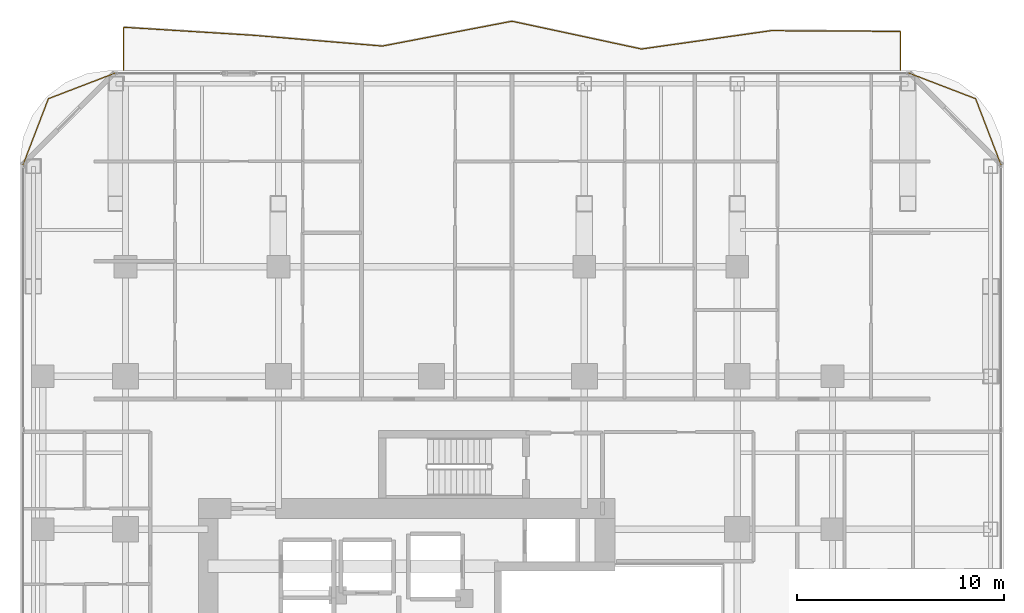
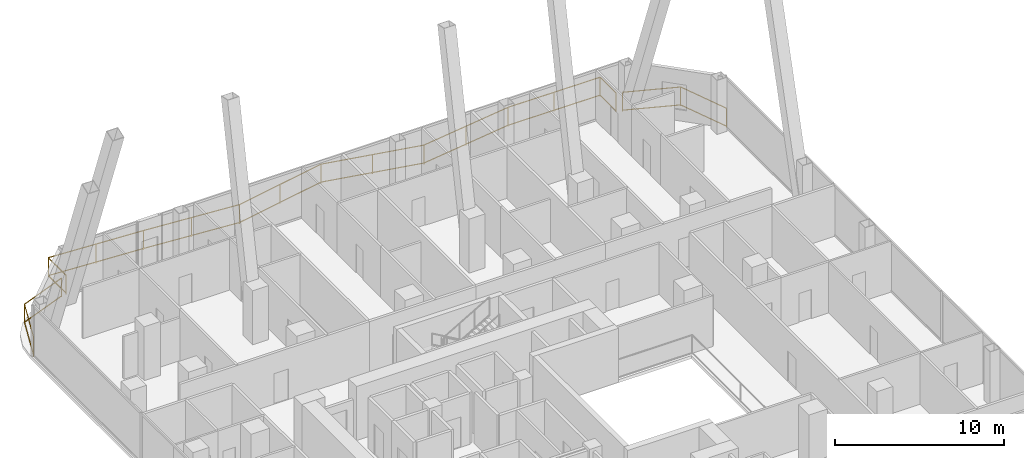
# One storey, part 28 of 28: 3 railings.
"""IFC4 building model written with IfcOpenShell, lengths in metres."""

import ifcopenshell
import ifcopenshell.guid

model = None  # the IFC model being written
_history = None  # IfcOwnerHistory: only IFC2X3 demands one
_inside = {}  # id of a spatial element -> (the spatial element, [elements in it])
_under = {}  # id of a project, library or spatial element -> (it, [spatial elements below it])
_declared = {}  # id of a project -> (the project, [libraries it declares])
_typed = {}  # id of a type object -> (the type object, [elements of that type])
_made_of = {}  # id of a material, layer set ... -> (it, [elements and type objects made of it])


def new_model(schema):
    """Start an empty IFC model of exactly this schema.

    Asked for "IFC4X3", IfcOpenShell would pick the latest addendum, in which some entities
    have other attributes; the version numbers below select the first issue.
    IFC2X3 requires an IfcOwnerHistory on every rooted entity: one is made here for all.
    """
    global model, _history
    if schema == "IFC4X3":
        model = ifcopenshell.file(schema_version=(4, 3, 0, 0))
    else:
        model = ifcopenshell.file(schema=schema)
    _inside.clear()
    _under.clear()
    _declared.clear()
    _typed.clear()
    _made_of.clear()
    _history = None
    if model.schema == "IFC2X3":
        org = make("IfcOrganization", Name="unknown")
        user = make(
            "IfcPersonAndOrganization",
            ThePerson=make("IfcPerson", FamilyName="unknown"),
            TheOrganization=org,
        )
        app = make(
            "IfcApplication",
            ApplicationDeveloper=org,
            Version="unknown",
            ApplicationFullName="unknown",
            ApplicationIdentifier="unknown",
        )
        _history = make(
            "IfcOwnerHistory",
            OwningUser=user,
            OwningApplication=app,
            ChangeAction="ADDED",
            CreationDate=0,
        )
    return model


def make(cls, **values):
    """One entity of the class cls with the attributes given. An attribute that is None is left unset."""
    return model.create_entity(
        cls, **{name: value for name, value in values.items() if value is not None}
    )


def rooted(cls, **values):
    """An entity with a GlobalId (a new one), such as an element, a storey or a relation."""
    return make(cls, GlobalId=ifcopenshell.guid.new(), OwnerHistory=_history, **values)


def si_unit(unit_type, name, prefix=None):
    """IfcSIUnit, for example si_unit("LENGTHUNIT", "METRE", prefix="MILLI")."""
    return make("IfcSIUnit", UnitType=unit_type, Prefix=prefix, Name=name)


def assignment(units):
    """IfcUnitAssignment: the units of a project."""
    return None if units is None else make("IfcUnitAssignment", Units=units)


def point(xyz):
    """IfcCartesianPoint."""
    return None if xyz is None else make("IfcCartesianPoint", Coordinates=xyz)


def direction(xyz):
    """IfcDirection."""
    return None if xyz is None else make("IfcDirection", DirectionRatios=xyz)


def frame(location, z_axis=None, x_axis=None):
    """IfcAxis2Placement3D, a coordinate frame: its origin and axes. An axis left out is left unset."""
    return make(
        "IfcAxis2Placement3D",
        Location=point(location),
        Axis=direction(z_axis),
        RefDirection=direction(x_axis),
    )


def frame_2d(location, x_axis=None):
    """IfcAxis2Placement2D, a coordinate frame in the plane: its origin and x axis."""
    return make(
        "IfcAxis2Placement2D", Location=point(location), RefDirection=direction(x_axis)
    )


def origin():
    """The frame at (0, 0, 0) with its axes left unset."""
    return frame((0.0, 0.0, 0.0))


def origin_2d():
    """The frame at (0, 0) in the plane with its x axis left unset."""
    return frame_2d((0.0, 0.0))


def place(relative_to, where):
    """IfcLocalPlacement: puts the frame where relative to a parent placement (None: the world)."""
    return make(
        "IfcLocalPlacement", PlacementRelTo=relative_to, RelativePlacement=where
    )


def context(
    kind, dimensions, precision=None, world=None, true_north=None, identifier=None
):
    """IfcGeometricRepresentationContext, for example the 3D "Model" context."""
    return make(
        "IfcGeometricRepresentationContext",
        ContextIdentifier=identifier,
        ContextType=kind,
        CoordinateSpaceDimension=dimensions,
        Precision=precision,
        WorldCoordinateSystem=world,
        TrueNorth=true_north,
    )


def subcontext(parent, identifier, kind, view, scale=None):
    """IfcGeometricRepresentationSubContext, for example "Body" below "Model"."""
    return make(
        "IfcGeometricRepresentationSubContext",
        ContextIdentifier=identifier,
        ContextType=kind,
        ParentContext=parent,
        TargetScale=scale,
        TargetView=view,
    )


def project(units=None, contexts=None):
    """IfcProject with its units and contexts."""
    return rooted(
        "IfcProject",
        Name="project",
        RepresentationContexts=contexts,
        UnitsInContext=assignment(units),
    )


def spatial(cls, under=None, at=None, **own):
    """A site, building, storey or space (cls), placed at a placement, below another one or the project."""
    s = rooted(cls, ObjectPlacement=at, **own)
    if under is not None:
        _under.setdefault(under.id(), (under, []))[1].append(s)
    return s


def profile(cls, at=None, kind="AREA", **sizes):
    """A parametric profile (cls). Its sizes go by their IFC names, for example OverallWidth=200.0."""
    return make(cls, ProfileType=kind, Position=at, **sizes)


def rectangle(**sizes):
    """IfcRectangleProfileDef."""
    return profile("IfcRectangleProfileDef", **sizes)


def extrude(swept, where, along, depth):
    """IfcExtrudedAreaSolid: the profile swept, set in the frame where, extruded along a direction by depth."""
    return make(
        "IfcExtrudedAreaSolid",
        SweptArea=swept,
        Position=where,
        ExtrudedDirection=direction(along),
        Depth=depth,
    )


def shape(context_of_items, identifier, shape_type, items):
    """IfcShapeRepresentation: the items that make up one representation, for example the "Body"."""
    return make(
        "IfcShapeRepresentation",
        ContextOfItems=context_of_items,
        RepresentationIdentifier=identifier,
        RepresentationType=shape_type,
        Items=items,
    )


def material(Name=None, Category=None):
    """IfcMaterial."""
    return make("IfcMaterial", Name=Name, Category=Category)


def made_of(thing, what):
    """Note that an element or type object is made of a material, layer set ...; save() writes the relation."""
    if what is not None:
        _made_of.setdefault(what.id(), (what, []))[1].append(thing)
    return thing


def type_object(cls, material=None, **own):
    """A type object (cls), such as IfcWallType, which elements share."""
    return made_of(rooted(cls, **own), material)


def element(
    cls,
    number,
    at=None,
    inside=None,
    cuts=None,
    type_object=None,
    material=None,
    context=None,
    identifier="Body",
    shape_type=None,
    held_by="IfcProductDefinitionShape",
    body=None,
    shapes=None,
    **own,
):
    """One element of the class cls, such as IfcWall. Its Tag is "e" and its number.

    at: its placement. inside: the storey or other place that contains it. cuts: it is an
    opening in that element (IfcRelVoidsElement). A single representation is given by context,
    identifier, shape_type and body (its items); several are given by shapes. held_by: the class
    of the entity that holds the representations. save() writes the other relations.
    """
    e = rooted(cls, Tag="e%d" % number, ObjectPlacement=at, **own)
    if body is not None:
        shapes = [shape(context, identifier, shape_type, body)]
    if shapes is not None:
        e.Representation = make(held_by, Representations=shapes)
    if inside is not None:
        _inside.setdefault(inside.id(), (inside, []))[1].append(e)
    if cuts is not None:
        rooted(
            "IfcRelVoidsElement", RelatingBuildingElement=cuts, RelatedOpeningElement=e
        )
    if type_object is not None:
        _typed.setdefault(type_object.id(), (type_object, []))[1].append(e)
    return made_of(e, material)


def aggregate(whole, parts):
    """IfcRelAggregates: a whole, such as a stair, and the parts it consists of."""
    return rooted("IfcRelAggregates", RelatingObject=whole, RelatedObjects=parts)


def save(model, path):
    """Write the relations noted so far, then the file.

    IfcRelAggregates (storeys below a building ...), IfcRelContainedInSpatialStructure (elements
    in a storey), IfcRelDefinesByType, IfcRelAssociatesMaterial and IfcRelDeclares: one each for
    every whole, place, type object, material and project.
    """
    for whole, parts in _under.values():
        aggregate(whole, parts)
    for where, things in _inside.values():
        rooted(
            "IfcRelContainedInSpatialStructure",
            RelatedElements=things,
            RelatingStructure=where,
        )
    for kind, things in _typed.values():
        rooted("IfcRelDefinesByType", RelatedObjects=things, RelatingType=kind)
    for what, things in _made_of.values():
        rooted("IfcRelAssociatesMaterial", RelatedObjects=things, RelatingMaterial=what)
    for by, libraries in _declared.values():
        rooted("IfcRelDeclares", RelatingContext=by, RelatedDefinitions=libraries)
    model.write(path)


model = new_model("IFC4")

# Units and contexts
model_context = context("Model", 3, precision=1e-05, world=origin(), true_north=direction((0.0, 1.0)))
body_context = subcontext(model_context, "Body", "Model", "MODEL_VIEW")
ifc_project = project(units=[si_unit("LENGTHUNIT", "METRE"), si_unit("AREAUNIT", "SQUARE_METRE"), si_unit("VOLUMEUNIT", "CUBIC_METRE"), si_unit("PLANEANGLEUNIT", "RADIAN"), si_unit("MASSUNIT", "GRAM", prefix="KILO")], contexts=[model_context])

# Site, building, storey
site_placement = place(None, origin())
site = spatial("IfcSite", under=ifc_project, at=site_placement, CompositionType="ELEMENT")
building_placement = place(site_placement, origin())
building = spatial("IfcBuilding", under=site, at=building_placement, Name="Khorvyn Point Tower", CompositionType="ELEMENT")
storey_placement = place(building_placement, frame((0.0, 0.0, 121.199951171875)))
storey = spatial("IfcBuildingStorey", under=building, at=storey_placement, Name="L30", CompositionType="ELEMENT", Elevation=121.199951171875)

# Railings
ifc_material = material(Name="Anodised aluminium 6063-T6 and laminated safety glass", Category="aluminium")
railing_type = type_object("IfcRailingType", Name="Laminated Glass and Aluminium Balcony Guardrail 1400", PredefinedType="BALUSTRADE", material=ifc_material)
railing_1_placement = place(storey_placement, frame((-15.27587890625, 29.47412109375, 0.0)))
element("IfcRailing", 1, at=railing_1_placement, inside=storey, type_object=railing_type, Name="L30 Rounded Corner Edge Guardrail NW", PredefinedType="BALUSTRADE", context=body_context, shape_type="SweptSolid", body=[
    extrude(rectangle(XDim=0.048095703125, YDim=0.048095703125, at=origin_2d()), frame((0.0, 0.0, 1.3759765625), z_axis=(-0.933574931257, -0.358382264808, 0.0), x_axis=(0.358382264808, -0.933574931257, 0.0)), (0.0, 0.0, 1.0), 3.481689453125),
    extrude(rectangle(XDim=0.048095703125, YDim=0.048095703125, at=origin_2d()), frame((0.0, 0.0, 0.080078125), z_axis=(-0.933574931257, -0.358382264808, 0.0), x_axis=(0.358382264808, -0.933574931257, 0.0)), (0.0, 0.0, 1.0), 3.481689453125),
    extrude(rectangle(XDim=0.048095703125, YDim=0.048095703125, at=origin_2d()), frame((-3.25048828125, -1.247802734375, 1.3759765625), z_axis=(-0.35840572668, -0.933565924337, 0.0), x_axis=(0.933565924337, -0.35840572668, 0.0)), (0.0, 0.0, 1.0), 3.4814453125),
    extrude(rectangle(XDim=0.048095703125, YDim=0.048095703125, at=origin_2d()), frame((-3.25048828125, -1.247802734375, 0.080078125), z_axis=(-0.35840572668, -0.933565924337, 0.0), x_axis=(0.933565924337, -0.35840572668, 0.0)), (0.0, 0.0, 1.0), 3.4814453125),
    extrude(rectangle(XDim=0.0419921875, YDim=0.0419921875, at=origin_2d()), origin(), (0.0, 0.0, 1.0), 1.351806640625),
    extrude(rectangle(XDim=0.0419921875, YDim=0.0419921875, at=origin_2d()), frame((-3.25048828125, -1.247802734375, 0.0)), (0.0, 0.0, 1.0), 1.351806640625),
    extrude(rectangle(XDim=0.0419921875, YDim=0.0419921875, at=origin_2d()), frame((-4.498291015625, -4.498046875, 0.0)), (0.0, 0.0, 1.0), 1.351806640625),
])
railing_2_placement = place(storey_placement, frame((27.57421875, 24.97607421875, 0.0)))
element("IfcRailing", 2, at=railing_2_placement, inside=storey, type_object=railing_type, Name="L30 Rounded Corner Edge Guardrail NE", PredefinedType="BALUSTRADE", context=body_context, shape_type="SweptSolid", body=[
    extrude(rectangle(XDim=0.048095703125, YDim=0.048095703125, at=origin_2d()), frame((0.0, 0.0, 1.3759765625), z_axis=(-0.35840572668, 0.933565924337, 0.0), x_axis=(-0.933565924337, -0.35840572668, 0.0)), (0.0, 0.0, 1.0), 3.4814453125),
    extrude(rectangle(XDim=0.048095703125, YDim=0.048095703125, at=origin_2d()), frame((0.0, 0.0, 0.080078125), z_axis=(-0.35840572668, 0.933565924337, 0.0), x_axis=(-0.933565924337, -0.35840572668, 0.0)), (0.0, 0.0, 1.0), 3.4814453125),
    extrude(rectangle(XDim=0.048095703125, YDim=0.048095703125, at=origin_2d()), frame((-1.247802734375, 3.250244140625, 1.3759765625), z_axis=(-0.933574931257, 0.358382264808, 0.0), x_axis=(-0.358382264808, -0.933574931257, 0.0)), (0.0, 0.0, 1.0), 3.481689453125),
    extrude(rectangle(XDim=0.048095703125, YDim=0.048095703125, at=origin_2d()), frame((-1.247802734375, 3.250244140625, 0.080078125), z_axis=(-0.933574931257, 0.358382264808, 0.0), x_axis=(-0.358382264808, -0.933574931257, 0.0)), (0.0, 0.0, 1.0), 3.481689453125),
    extrude(rectangle(XDim=0.0419921875, YDim=0.0419921875, at=origin_2d()), origin(), (0.0, 0.0, 1.0), 1.351806640625),
    extrude(rectangle(XDim=0.0419921875, YDim=0.0419921875, at=origin_2d()), frame((-1.247802734375, 3.250244140625, 0.0)), (0.0, 0.0, 1.0), 1.351806640625),
    extrude(rectangle(XDim=0.0419921875, YDim=0.0419921875, at=origin_2d()), frame((-4.498291015625, 4.498046875, 0.0)), (0.0, 0.0, 1.0), 1.351806640625),
])
railing_3_placement = place(storey_placement, frame((22.699951171875, 29.60009765625, 0.0)))
element("IfcRailing", 3, at=railing_3_placement, inside=storey, type_object=railing_type, Name="L30 North Balcony Guardrail", PredefinedType="BALUSTRADE", context=body_context, shape_type="SweptSolid", body=[
    extrude(rectangle(XDim=0.048095703125, YDim=0.048095703125, at=origin_2d()), frame((0.0, 0.0, 1.3759765625), z_axis=(0.0, 1.0, 0.0), x_axis=(-1.0, 0.0, 0.0)), (0.0, 0.0, 1.0), 1.88134765625),
    extrude(rectangle(XDim=0.048095703125, YDim=0.048095703125, at=origin_2d()), frame((0.0, 0.0, 0.080078125), z_axis=(0.0, 1.0, 0.0), x_axis=(-1.0, 0.0, 0.0)), (0.0, 0.0, 1.0), 1.88134765625),
    extrude(rectangle(XDim=0.048095703125, YDim=0.048095703125, at=origin_2d()), frame((0.0, 1.88134765625, 1.3759765625), z_axis=(-0.999983601281, 0.005726881307, 0.0), x_axis=(-0.005726881307, -0.999983601281, 0.0)), (0.0, 0.0, 1.0), 6.2666015625),
    extrude(rectangle(XDim=0.048095703125, YDim=0.048095703125, at=origin_2d()), frame((0.0, 1.88134765625, 0.080078125), z_axis=(-0.999983601281, 0.005726881307, 0.0), x_axis=(-0.005726881307, -0.999983601281, 0.0)), (0.0, 0.0, 1.0), 6.2666015625),
    extrude(rectangle(XDim=0.048095703125, YDim=0.048095703125, at=origin_2d()), frame((-6.2666015625, 1.917236328125, 1.3759765625), z_axis=(-0.990115445767, -0.14025478264, 0.0), x_axis=(0.14025478264, -0.990115445767, 0.0)), (0.0, 0.0, 1.0), 6.3291015625),
    extrude(rectangle(XDim=0.048095703125, YDim=0.048095703125, at=origin_2d()), frame((-6.2666015625, 1.917236328125, 0.080078125), z_axis=(-0.990115445767, -0.14025478264, 0.0), x_axis=(0.14025478264, -0.990115445767, 0.0)), (0.0, 0.0, 1.0), 6.3291015625),
    extrude(rectangle(XDim=0.048095703125, YDim=0.048095703125, at=origin_2d()), frame((-12.533203125, 1.029541015625, 1.3759765625), z_axis=(-0.977767281962, 0.209692971569, 0.0), x_axis=(-0.209692971569, -0.977767281962, 0.0)), (0.0, 0.0, 1.0), 6.409423828125),
    extrude(rectangle(XDim=0.048095703125, YDim=0.048095703125, at=origin_2d()), frame((-12.533203125, 1.029541015625, 0.080078125), z_axis=(-0.977767281962, 0.209692971569, 0.0), x_axis=(-0.209692971569, -0.977767281962, 0.0)), (0.0, 0.0, 1.0), 6.409423828125),
    extrude(rectangle(XDim=0.048095703125, YDim=0.048095703125, at=origin_2d()), frame((-18.800048828125, 2.37353515625, 1.3759765625), z_axis=(-0.982120889732, -0.188251315937, 0.0), x_axis=(0.188251315937, -0.982120889732, 0.0)), (0.0, 0.0, 1.0), 6.380615234375),
    extrude(rectangle(XDim=0.048095703125, YDim=0.048095703125, at=origin_2d()), frame((-18.800048828125, 2.37353515625, 0.080078125), z_axis=(-0.982120889732, -0.188251315937, 0.0), x_axis=(0.188251315937, -0.982120889732, 0.0)), (0.0, 0.0, 1.0), 6.380615234375),
    extrude(rectangle(XDim=0.048095703125, YDim=0.048095703125, at=origin_2d()), frame((-25.066650390625, 1.17236328125, 1.3759765625), z_axis=(-0.996536112454, 0.083161148234, 0.0), x_axis=(-0.083161148234, -0.996536112454, 0.0)), (0.0, 0.0, 1.0), 6.288330078125),
    extrude(rectangle(XDim=0.048095703125, YDim=0.048095703125, at=origin_2d()), frame((-25.066650390625, 1.17236328125, 0.080078125), z_axis=(-0.996536112454, 0.083161148234, 0.0), x_axis=(-0.083161148234, -0.996536112454, 0.0)), (0.0, 0.0, 1.0), 6.288330078125),
    extrude(rectangle(XDim=0.048095703125, YDim=0.048095703125, at=origin_2d()), frame((-31.333251953125, 1.6953125, 1.3759765625), z_axis=(-0.998086922603, 0.061826328773, 0.0), x_axis=(-0.061826328773, -0.998086922603, 0.0)), (0.0, 0.0, 1.0), 6.278564453125),
    extrude(rectangle(XDim=0.048095703125, YDim=0.048095703125, at=origin_2d()), frame((-31.333251953125, 1.6953125, 0.080078125), z_axis=(-0.998086922603, 0.061826328773, 0.0), x_axis=(-0.061826328773, -0.998086922603, 0.0)), (0.0, 0.0, 1.0), 6.278564453125),
    extrude(rectangle(XDim=0.048095703125, YDim=0.048095703125, at=origin_2d()), frame((-37.599853515625, 2.08349609375, 1.3759765625), z_axis=(0.0, -1.0, 0.0), x_axis=(1.0, 0.0, 0.0)), (0.0, 0.0, 1.0), 2.08349609375),
    extrude(rectangle(XDim=0.048095703125, YDim=0.048095703125, at=origin_2d()), frame((-37.599853515625, 2.08349609375, 0.080078125), z_axis=(0.0, -1.0, 0.0), x_axis=(1.0, 0.0, 0.0)), (0.0, 0.0, 1.0), 2.08349609375),
    extrude(rectangle(XDim=0.0419921875, YDim=0.0419921875, at=origin_2d()), origin(), (0.0, 0.0, 1.0), 1.351806640625),
    extrude(rectangle(XDim=0.0419921875, YDim=0.0419921875, at=origin_2d()), frame((0.0, 1.88134765625, 0.0)), (0.0, 0.0, 1.0), 1.351806640625),
    extrude(rectangle(XDim=0.0419921875, YDim=0.0419921875, at=origin_2d()), frame((-3.13330078125, 1.8994140625, 0.0)), (0.0, 0.0, 1.0), 1.351806640625),
    extrude(rectangle(XDim=0.0419921875, YDim=0.0419921875, at=origin_2d()), frame((-6.2666015625, 1.917236328125, 0.0)), (0.0, 0.0, 1.0), 1.351806640625),
    extrude(rectangle(XDim=0.0419921875, YDim=0.0419921875, at=origin_2d()), frame((-9.39990234375, 1.473388671875, 0.0)), (0.0, 0.0, 1.0), 1.351806640625),
    extrude(rectangle(XDim=0.0419921875, YDim=0.0419921875, at=origin_2d()), frame((-12.533203125, 1.029541015625, 0.0)), (0.0, 0.0, 1.0), 1.351806640625),
    extrude(rectangle(XDim=0.0419921875, YDim=0.0419921875, at=origin_2d()), frame((-15.66650390625, 1.70166015625, 0.0)), (0.0, 0.0, 1.0), 1.351806640625),
    extrude(rectangle(XDim=0.0419921875, YDim=0.0419921875, at=origin_2d()), frame((-18.800048828125, 2.37353515625, 0.0)), (0.0, 0.0, 1.0), 1.351806640625),
    extrude(rectangle(XDim=0.0419921875, YDim=0.0419921875, at=origin_2d()), frame((-21.933349609375, 1.77294921875, 0.0)), (0.0, 0.0, 1.0), 1.351806640625),
    extrude(rectangle(XDim=0.0419921875, YDim=0.0419921875, at=origin_2d()), frame((-25.066650390625, 1.17236328125, 0.0)), (0.0, 0.0, 1.0), 1.351806640625),
    extrude(rectangle(XDim=0.0419921875, YDim=0.0419921875, at=origin_2d()), frame((-28.199951171875, 1.433837890625, 0.0)), (0.0, 0.0, 1.0), 1.351806640625),
    extrude(rectangle(XDim=0.0419921875, YDim=0.0419921875, at=origin_2d()), frame((-31.333251953125, 1.6953125, 0.0)), (0.0, 0.0, 1.0), 1.351806640625),
    extrude(rectangle(XDim=0.0419921875, YDim=0.0419921875, at=origin_2d()), frame((-34.466552734375, 1.889404296875, 0.0)), (0.0, 0.0, 1.0), 1.351806640625),
    extrude(rectangle(XDim=0.0419921875, YDim=0.0419921875, at=origin_2d()), frame((-37.599853515625, 2.08349609375, 0.0)), (0.0, 0.0, 1.0), 1.351806640625),
    extrude(rectangle(XDim=0.0419921875, YDim=0.0419921875, at=origin_2d()), frame((-37.599853515625, 0.0, 0.0)), (0.0, 0.0, 1.0), 1.351806640625),
])

save(model, "model.ifc")
